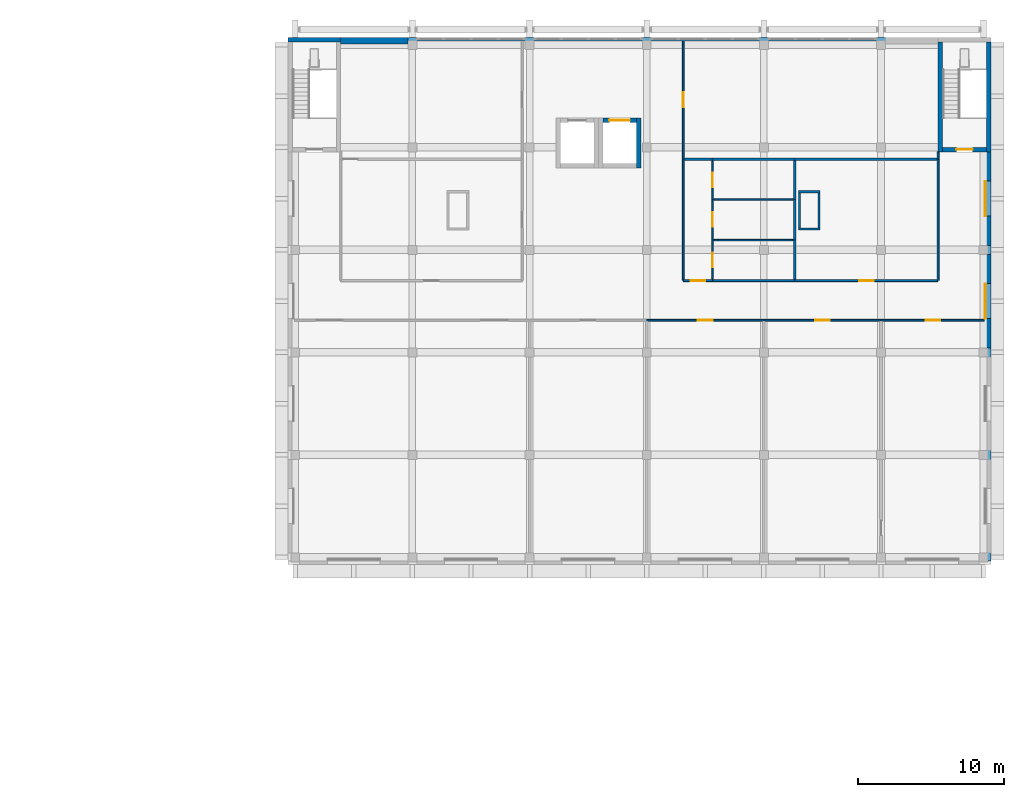
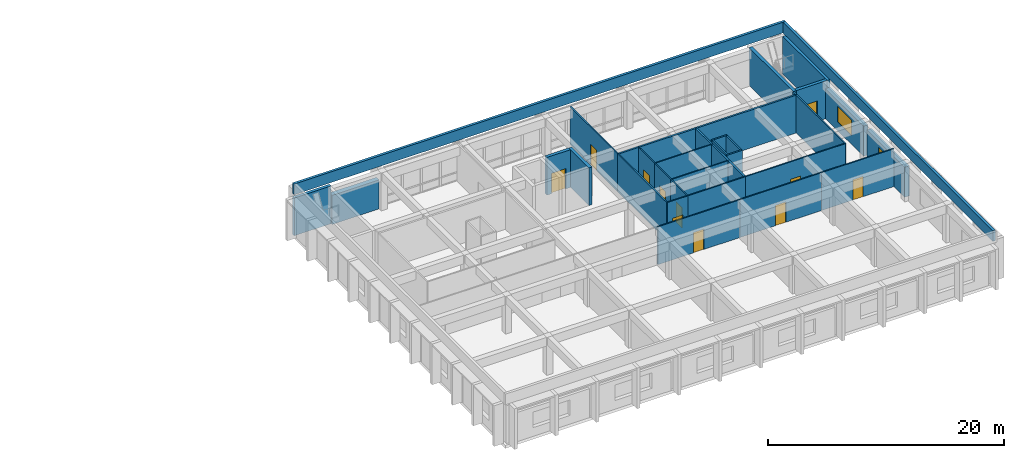
# One storey, part 18 of 21: 36 walls, 11 doors, 2 windows, 13 openings.
"""IFC4 building model written with IfcOpenShell, lengths in metres."""

import ifcopenshell
import ifcopenshell.guid

model = None  # the IFC model being written
_history = None  # IfcOwnerHistory: only IFC2X3 demands one
_inside = {}  # id of a spatial element -> (the spatial element, [elements in it])
_under = {}  # id of a project, library or spatial element -> (it, [spatial elements below it])
_declared = {}  # id of a project -> (the project, [libraries it declares])
_typed = {}  # id of a type object -> (the type object, [elements of that type])
_made_of = {}  # id of a material, layer set ... -> (it, [elements and type objects made of it])


def new_model(schema):
    """Start an empty IFC model of exactly this schema.

    Asked for "IFC4X3", IfcOpenShell would pick the latest addendum, in which some entities
    have other attributes; the version numbers below select the first issue.
    IFC2X3 requires an IfcOwnerHistory on every rooted entity: one is made here for all.
    """
    global model, _history
    if schema == "IFC4X3":
        model = ifcopenshell.file(schema_version=(4, 3, 0, 0))
    else:
        model = ifcopenshell.file(schema=schema)
    _inside.clear()
    _under.clear()
    _declared.clear()
    _typed.clear()
    _made_of.clear()
    _history = None
    if model.schema == "IFC2X3":
        org = make("IfcOrganization", Name="unknown")
        user = make(
            "IfcPersonAndOrganization",
            ThePerson=make("IfcPerson", FamilyName="unknown"),
            TheOrganization=org,
        )
        app = make(
            "IfcApplication",
            ApplicationDeveloper=org,
            Version="unknown",
            ApplicationFullName="unknown",
            ApplicationIdentifier="unknown",
        )
        _history = make(
            "IfcOwnerHistory",
            OwningUser=user,
            OwningApplication=app,
            ChangeAction="ADDED",
            CreationDate=0,
        )
    return model


def make(cls, **values):
    """One entity of the class cls with the attributes given. An attribute that is None is left unset."""
    return model.create_entity(
        cls, **{name: value for name, value in values.items() if value is not None}
    )


def rooted(cls, **values):
    """An entity with a GlobalId (a new one), such as an element, a storey or a relation."""
    return make(cls, GlobalId=ifcopenshell.guid.new(), OwnerHistory=_history, **values)


def si_unit(unit_type, name, prefix=None):
    """IfcSIUnit, for example si_unit("LENGTHUNIT", "METRE", prefix="MILLI")."""
    return make("IfcSIUnit", UnitType=unit_type, Prefix=prefix, Name=name)


def assignment(units):
    """IfcUnitAssignment: the units of a project."""
    return None if units is None else make("IfcUnitAssignment", Units=units)


def point(xyz):
    """IfcCartesianPoint."""
    return None if xyz is None else make("IfcCartesianPoint", Coordinates=xyz)


def direction(xyz):
    """IfcDirection."""
    return None if xyz is None else make("IfcDirection", DirectionRatios=xyz)


def frame(location, z_axis=None, x_axis=None):
    """IfcAxis2Placement3D, a coordinate frame: its origin and axes. An axis left out is left unset."""
    return make(
        "IfcAxis2Placement3D",
        Location=point(location),
        Axis=direction(z_axis),
        RefDirection=direction(x_axis),
    )


def frame_2d(location, x_axis=None):
    """IfcAxis2Placement2D, a coordinate frame in the plane: its origin and x axis."""
    return make(
        "IfcAxis2Placement2D", Location=point(location), RefDirection=direction(x_axis)
    )


def origin():
    """The frame at (0, 0, 0) with its axes left unset."""
    return frame((0.0, 0.0, 0.0))


def place(relative_to, where):
    """IfcLocalPlacement: puts the frame where relative to a parent placement (None: the world)."""
    return make(
        "IfcLocalPlacement", PlacementRelTo=relative_to, RelativePlacement=where
    )


def context(
    kind, dimensions, precision=None, world=None, true_north=None, identifier=None
):
    """IfcGeometricRepresentationContext, for example the 3D "Model" context."""
    return make(
        "IfcGeometricRepresentationContext",
        ContextIdentifier=identifier,
        ContextType=kind,
        CoordinateSpaceDimension=dimensions,
        Precision=precision,
        WorldCoordinateSystem=world,
        TrueNorth=true_north,
    )


def subcontext(parent, identifier, kind, view, scale=None):
    """IfcGeometricRepresentationSubContext, for example "Body" below "Model"."""
    return make(
        "IfcGeometricRepresentationSubContext",
        ContextIdentifier=identifier,
        ContextType=kind,
        ParentContext=parent,
        TargetScale=scale,
        TargetView=view,
    )


def project(units=None, contexts=None):
    """IfcProject with its units and contexts."""
    return rooted(
        "IfcProject",
        Name="project",
        RepresentationContexts=contexts,
        UnitsInContext=assignment(units),
    )


def spatial(cls, under=None, at=None, **own):
    """A site, building, storey or space (cls), placed at a placement, below another one or the project."""
    s = rooted(cls, ObjectPlacement=at, **own)
    if under is not None:
        _under.setdefault(under.id(), (under, []))[1].append(s)
    return s


def profile(cls, at=None, kind="AREA", **sizes):
    """A parametric profile (cls). Its sizes go by their IFC names, for example OverallWidth=200.0."""
    return make(cls, ProfileType=kind, Position=at, **sizes)


def rectangle(**sizes):
    """IfcRectangleProfileDef."""
    return profile("IfcRectangleProfileDef", **sizes)


def extrude(swept, where, along, depth):
    """IfcExtrudedAreaSolid: the profile swept, set in the frame where, extruded along a direction by depth."""
    return make(
        "IfcExtrudedAreaSolid",
        SweptArea=swept,
        Position=where,
        ExtrudedDirection=direction(along),
        Depth=depth,
    )


def shape(context_of_items, identifier, shape_type, items):
    """IfcShapeRepresentation: the items that make up one representation, for example the "Body"."""
    return make(
        "IfcShapeRepresentation",
        ContextOfItems=context_of_items,
        RepresentationIdentifier=identifier,
        RepresentationType=shape_type,
        Items=items,
    )


def material(Name=None, Category=None):
    """IfcMaterial."""
    return make("IfcMaterial", Name=Name, Category=Category)


def layer(
    of_material, thickness, ventilated=None, Name=None, Category=None, Priority=None
):
    """IfcMaterialLayer: one layer of a wall or slab, of a material (None: an air gap)."""
    return make(
        "IfcMaterialLayer",
        Material=of_material,
        LayerThickness=thickness,
        IsVentilated=ventilated,
        Name=Name,
        Category=Category,
        Priority=Priority,
    )


def layer_set(layers, Name=None):
    """IfcMaterialLayerSet."""
    return make("IfcMaterialLayerSet", MaterialLayers=layers, LayerSetName=Name)


def made_of(thing, what):
    """Note that an element or type object is made of a material, layer set ...; save() writes the relation."""
    if what is not None:
        _made_of.setdefault(what.id(), (what, []))[1].append(thing)
    return thing


def type_object(cls, material=None, **own):
    """A type object (cls), such as IfcWallType, which elements share."""
    return made_of(rooted(cls, **own), material)


def element(
    cls,
    number,
    at=None,
    inside=None,
    cuts=None,
    type_object=None,
    material=None,
    context=None,
    identifier="Body",
    shape_type=None,
    held_by="IfcProductDefinitionShape",
    body=None,
    shapes=None,
    **own,
):
    """One element of the class cls, such as IfcWall. Its Tag is "e" and its number.

    at: its placement. inside: the storey or other place that contains it. cuts: it is an
    opening in that element (IfcRelVoidsElement). A single representation is given by context,
    identifier, shape_type and body (its items); several are given by shapes. held_by: the class
    of the entity that holds the representations. save() writes the other relations.
    """
    e = rooted(cls, Tag="e%d" % number, ObjectPlacement=at, **own)
    if body is not None:
        shapes = [shape(context, identifier, shape_type, body)]
    if shapes is not None:
        e.Representation = make(held_by, Representations=shapes)
    if inside is not None:
        _inside.setdefault(inside.id(), (inside, []))[1].append(e)
    if cuts is not None:
        rooted(
            "IfcRelVoidsElement", RelatingBuildingElement=cuts, RelatedOpeningElement=e
        )
    if type_object is not None:
        _typed.setdefault(type_object.id(), (type_object, []))[1].append(e)
    return made_of(e, material)


def fill(opening, filler):
    """IfcRelFillsElement: the door or window that sits in an opening."""
    return rooted(
        "IfcRelFillsElement",
        RelatingOpeningElement=opening,
        RelatedBuildingElement=filler,
    )


def aggregate(whole, parts):
    """IfcRelAggregates: a whole, such as a stair, and the parts it consists of."""
    return rooted("IfcRelAggregates", RelatingObject=whole, RelatedObjects=parts)


def save(model, path):
    """Write the relations noted so far, then the file.

    IfcRelAggregates (storeys below a building ...), IfcRelContainedInSpatialStructure (elements
    in a storey), IfcRelDefinesByType, IfcRelAssociatesMaterial and IfcRelDeclares: one each for
    every whole, place, type object, material and project.
    """
    for whole, parts in _under.values():
        aggregate(whole, parts)
    for where, things in _inside.values():
        rooted(
            "IfcRelContainedInSpatialStructure",
            RelatedElements=things,
            RelatingStructure=where,
        )
    for kind, things in _typed.values():
        rooted("IfcRelDefinesByType", RelatedObjects=things, RelatingType=kind)
    for what, things in _made_of.values():
        rooted("IfcRelAssociatesMaterial", RelatedObjects=things, RelatingMaterial=what)
    for by, libraries in _declared.values():
        rooted("IfcRelDeclares", RelatingContext=by, RelatedDefinitions=libraries)
    model.write(path)


model = new_model("IFC4")

# Units and contexts
model_context = context("Model", 3, precision=1e-05, world=origin(), true_north=direction((0.0, 1.0)))
body_context = subcontext(model_context, "Body", "Model", "MODEL_VIEW")
ifc_project = project(units=[si_unit("LENGTHUNIT", "METRE"), si_unit("AREAUNIT", "SQUARE_METRE"), si_unit("VOLUMEUNIT", "CUBIC_METRE"), si_unit("PLANEANGLEUNIT", "RADIAN"), si_unit("MASSUNIT", "GRAM", prefix="KILO")], contexts=[model_context])

# Site, building, storey
site_placement = place(None, origin())
site = spatial("IfcSite", under=ifc_project, at=site_placement, CompositionType="ELEMENT")
building_placement = place(site_placement, origin())
building = spatial("IfcBuilding", under=site, at=building_placement, Name="Elmora Arch Market Hall", CompositionType="ELEMENT")
storey_placement = place(building_placement, frame((0.0, 0.0, 14.39990234375)))
storey = spatial("IfcBuildingStorey", under=building, at=storey_placement, Name="L03", CompositionType="ELEMENT", Elevation=14.39990234375)

# Walls
ifc_material_1 = material(Name="Blockwork", Category="masonry")
ifc_layer_1 = layer(ifc_material_1, 0.14990234375)
ifc_layer_set_1 = layer_set([ifc_layer_1], Name="Blockwork")
wall_type_1 = type_object("IfcWallType", Name="Blockwork partition 150 EI 120", PredefinedType="PARTITIONING", material=ifc_layer_set_1)
wall_1_placement = place(storey_placement, frame((120.85009765625, 152.925048828125, 0.0), z_axis=(0.0, 0.0, 1.0), x_axis=(1.0, 0.0, 0.0)))
element("IfcWall", 1, at=wall_1_placement, inside=storey, type_object=wall_type_1, Name="Riser wall L03 05", PredefinedType="PARTITIONING", context=body_context, shape_type="SweptSolid", body=[
    extrude(rectangle(XDim=1.5, YDim=0.14990234375, at=frame_2d((0.75, 0.0))), origin(), (0.0, 0.0, 1.0), 3.900146484375),
])
wall_2_placement = place(storey_placement, frame((120.925048828125, 153.0, 0.0), z_axis=(0.0, 0.0, 1.0), x_axis=(0.0, 1.0, 0.0)))
element("IfcWall", 2, at=wall_2_placement, inside=storey, type_object=wall_type_1, Name="Riser wall L03 06", PredefinedType="PARTITIONING", context=body_context, shape_type="SweptSolid", body=[
    extrude(rectangle(XDim=2.39990234375, YDim=0.14990234375, at=frame_2d((1.199951171875, 0.0))), origin(), (0.0, 0.0, 1.0), 3.900146484375),
])
wall_3_placement = place(storey_placement, frame((120.85009765625, 155.47509765625, 0.0), z_axis=(0.0, 0.0, 1.0), x_axis=(1.0, 0.0, 0.0)))
element("IfcWall", 3, at=wall_3_placement, inside=storey, type_object=wall_type_1, Name="Riser wall L03 07", PredefinedType="PARTITIONING", context=body_context, shape_type="SweptSolid", body=[
    extrude(rectangle(XDim=1.5, YDim=0.14990234375, at=frame_2d((0.75, 0.0))), origin(), (0.0, 0.0, 1.0), 3.900146484375),
])
wall_4_placement = place(storey_placement, frame((122.27490234375, 153.0, 0.0), z_axis=(0.0, 0.0, 1.0), x_axis=(0.0, 1.0, 0.0)))
element("IfcWall", 4, at=wall_4_placement, inside=storey, type_object=wall_type_1, Name="Riser wall L03 08", PredefinedType="PARTITIONING", context=body_context, shape_type="SweptSolid", body=[
    extrude(rectangle(XDim=2.39990234375, YDim=0.14990234375, at=frame_2d((1.199951171875, 0.0))), origin(), (0.0, 0.0, 1.0), 3.900146484375),
])
ifc_material_2 = material(Name="Concrete C40/50", Category="concrete")
ifc_layer_2 = layer(ifc_material_2, 0.300048828125)
ifc_layer_set_2 = layer_set([ifc_layer_2], Name="Concrete C40/50")
wall_type_2 = type_object("IfcWallType", Name="Board-marked concrete wall 300", PredefinedType="SOLIDWALL", material=ifc_layer_set_2)
wall_5_placement = place(storey_placement, frame((86.0, 165.85009765625, 0.0), z_axis=(0.0, 0.0, 1.0), x_axis=(1.0, 0.0, 0.0)))
element("IfcWall", 5, at=wall_5_placement, inside=storey, type_object=wall_type_2, Name="School stair wall N L03 1", PredefinedType="SOLIDWALL", context=body_context, shape_type="SweptSolid", body=[
    extrude(rectangle(XDim=3.60009765625, YDim=0.300048828125, at=frame_2d((1.800048828125, 0.0))), origin(), (0.0, 0.0, 1.0), 3.900146484375),
])
wall_6_placement = place(storey_placement, frame((133.85009765625, 165.699951171875, 0.0), z_axis=(0.0, 0.0, 1.0), x_axis=(0.0, -1.0, 0.0)))
element("IfcWall", 6, at=wall_6_placement, inside=storey, type_object=wall_type_2, Name="School stair wall E L03 1", PredefinedType="SOLIDWALL", context=body_context, shape_type="SweptSolid", body=[
    extrude(rectangle(XDim=7.5, YDim=0.300048828125, at=frame_2d((3.75, 0.0))), origin(), (0.0, 0.0, 1.0), 3.900146484375),
])
ifc_material_3 = material(Name="Concrete C40/50", Category="concrete")
ifc_layer_3 = layer(ifc_material_3, 0.449951171875)
ifc_layer_set_3 = layer_set([ifc_layer_3], Name="Concrete C40/50")
wall_type_3 = type_object("IfcWallType", Name="Board-marked concrete wall 450", PredefinedType="SOLIDWALL", material=ifc_layer_set_3)
wall_7_placement = place(storey_placement, frame((89.60009765625, 165.77490234375, 0.0), z_axis=(0.0, 0.0, 1.0), x_axis=(1.0, 0.0, 0.0)))
element("IfcWall", 7, at=wall_7_placement, inside=storey, type_object=wall_type_3, Name="School facade wall N L03 3", PredefinedType="SOLIDWALL", context=body_context, shape_type="SweptSolid", body=[
    extrude(rectangle(XDim=4.599853515625, YDim=0.449951171875, at=frame_2d((2.2998046875, 0.0))), origin(), (0.0, 0.0, 1.0), 3.0),
])

# Wall, opening, window
wall_8_placement = place(storey_placement, frame((133.77490234375, 151.199951171875, 0.0), z_axis=(0.0, 0.0, 1.0), x_axis=(0.0, -1.0, 0.0)))
wall_8 = element("IfcWall", 8, at=wall_8_placement, inside=storey, type_object=wall_type_3, Name="School facade wall E L03 4", PredefinedType="SOLIDWALL", context=body_context, shape_type="SweptSolid", body=[
    extrude(rectangle(XDim=6.39990234375, YDim=0.449951171875, at=frame_2d((3.199951171875, 0.0))), origin(), (0.0, 0.0, 1.0), 3.10009765625),
])
opening_1_placement = place(wall_8_placement, frame((2.0, 0.0, 0.89990234375)))
opening_1 = element("IfcOpeningElement", 9, at=opening_1_placement, cuts=wall_8, Name="Opening WB2", PredefinedType="OPENING", context=body_context, shape_type="SweptSolid", body=[
    extrude(rectangle(XDim=2.39990234375, YDim=1.60009765625, at=frame_2d((1.199951171875, 0.800048828125))), frame((0.0, 0.23486328125, 0.0), z_axis=(0.0, -1.0, 0.0), x_axis=(1.0, 0.0, 0.0)), (0.0, 0.0, 1.0), 0.469970703125),
])
ifc_material_4 = material(Name="Aluminium", Category="aluminium")
window_type = type_object("IfcWindowType", Name="School end band window 2400x1600", PartitioningType="SINGLE_PANEL", PredefinedType="WINDOW", material=ifc_material_4)
window_1_placement = place(opening_1_placement, origin())
window_1 = element("IfcWindow", 10, at=window_1_placement, inside=storey, type_object=window_type, Name="Window WB2 L03 E127", OverallHeight=1.60009765625, OverallWidth=2.39990234375, PartitioningType="SINGLE_PANEL", PredefinedType="WINDOW", context=body_context, shape_type="SweptSolid", body=[
    extrude(rectangle(XDim=2.39990234375, YDim=1.60009765625, at=frame_2d((1.199951171875, 0.800048828125))), frame((0.0, -0.125, 0.0), z_axis=(0.0, -1.0, 0.0), x_axis=(1.0, 0.0, 0.0)), (0.0, 0.0, 1.0), 0.06005859375),
])
fill(opening_1, window_1)

wall_9_placement = place(storey_placement, frame((133.77490234375, 158.199951171875, 0.0), z_axis=(0.0, 0.0, 1.0), x_axis=(0.0, -1.0, 0.0)))
wall_9 = element("IfcWall", 11, at=wall_9_placement, inside=storey, type_object=wall_type_3, Name="School facade wall E L03 5", PredefinedType="SOLIDWALL", context=body_context, shape_type="SweptSolid", body=[
    extrude(rectangle(XDim=6.39990234375, YDim=0.449951171875, at=frame_2d((3.199951171875, 0.0))), origin(), (0.0, 0.0, 1.0), 3.10009765625),
])
opening_2_placement = place(wall_9_placement, frame((2.0, 0.0, 0.89990234375)))
opening_2 = element("IfcOpeningElement", 12, at=opening_2_placement, cuts=wall_9, Name="Opening WB2", PredefinedType="OPENING", context=body_context, shape_type="SweptSolid", body=[
    extrude(rectangle(XDim=2.39990234375, YDim=1.60009765625, at=frame_2d((1.199951171875, 0.800048828125))), frame((0.0, 0.23486328125, 0.0), z_axis=(0.0, -1.0, 0.0), x_axis=(1.0, 0.0, 0.0)), (0.0, 0.0, 1.0), 0.469970703125),
])
window_2_placement = place(opening_2_placement, origin())
window_2 = element("IfcWindow", 13, at=window_2_placement, inside=storey, type_object=window_type, Name="Window WB2 L03 E128", OverallHeight=1.60009765625, OverallWidth=2.39990234375, PartitioningType="SINGLE_PANEL", PredefinedType="WINDOW", context=body_context, shape_type="SweptSolid", body=[
    extrude(rectangle(XDim=2.39990234375, YDim=1.60009765625, at=frame_2d((1.199951171875, 0.800048828125))), frame((0.0, -0.125, 0.0), z_axis=(0.0, -1.0, 0.0), x_axis=(1.0, 0.0, 0.0)), (0.0, 0.0, 1.0), 0.06005859375),
])
fill(opening_2, window_2)

# Walls
ifc_material_5 = material(Name="Concrete C40/50", Category="concrete")
ifc_layer_4 = layer(ifc_material_5, 0.25)
ifc_layer_set_4 = layer_set([ifc_layer_4], Name="Concrete C40/50")
wall_type_4 = type_object("IfcWallType", Name="Concrete parapet 250", PredefinedType="PARAPET", material=ifc_layer_set_4)
wall_10_placement = place(storey_placement, frame((86.0, 165.875, 4.2001953125), z_axis=(0.0, 0.0, 1.0), x_axis=(1.0, 0.0, 0.0)))
element("IfcWall", 14, at=wall_10_placement, inside=storey, type_object=wall_type_4, Name="Planted roof parapet north school", PredefinedType="PARAPET", context=body_context, shape_type="SweptSolid", body=[
    extrude(rectangle(XDim=48.0, YDim=0.25, at=frame_2d((24.0, 0.0))), origin(), (0.0, 0.0, 1.0), 1.099853515625),
])
wall_11_placement = place(storey_placement, frame((133.875, 165.75, 4.2001953125), z_axis=(0.0, 0.0, 1.0), x_axis=(0.0, -1.0, 0.0)))
element("IfcWall", 15, at=wall_11_placement, inside=storey, type_object=wall_type_4, Name="Planted roof parapet east school", PredefinedType="PARAPET", context=body_context, shape_type="SweptSolid", body=[
    extrude(rectangle(XDim=35.5, YDim=0.25, at=frame_2d((17.75, 0.0))), origin(), (0.0, 0.0, 1.0), 1.099853515625),
])
ifc_material_6 = material(Name="Concrete C40/50", Category="concrete")
ifc_layer_5 = layer(ifc_material_6, 0.300048828125)
ifc_layer_set_5 = layer_set([ifc_layer_5], Name="Concrete C40/50")
wall_type_5 = type_object("IfcWallType", Name="Lift shaft wall 300", PredefinedType="SHEAR", material=ifc_layer_set_5)
wall_12_placement = place(storey_placement, frame((109.949951171875, 157.10009765625, 0.0), z_axis=(0.0, 0.0, 1.0), x_axis=(0.0, 1.0, 0.0)))
element("IfcWall", 16, at=wall_12_placement, inside=storey, type_object=wall_type_5, Name="Lift shaft wall SL2 E L03", PredefinedType="SHEAR", context=body_context, shape_type="SweptSolid", body=[
    extrude(rectangle(XDim=3.39990234375, YDim=0.300048828125, at=frame_2d((1.699951171875, 0.0))), origin(), (0.0, 0.0, 1.0), 3.900146484375),
])

# Wall, opening, door
wall_13_placement = place(storey_placement, frame((107.5, 160.35009765625, 0.0), z_axis=(0.0, 0.0, 1.0), x_axis=(1.0, 0.0, 0.0)))
wall_13 = element("IfcWall", 17, at=wall_13_placement, inside=storey, type_object=wall_type_5, Name="Lift shaft wall SL2 N L03", PredefinedType="SHEAR", context=body_context, shape_type="SweptSolid", body=[
    extrude(rectangle(XDim=2.300048828125, YDim=0.300048828125, at=frame_2d((1.14990234375, 0.0))), origin(), (0.0, 0.0, 1.0), 3.900146484375),
])
opening_3_placement = place(wall_13_placement, frame((0.449951171875, 0.0, 0.0)))
opening_3 = element("IfcOpeningElement", 18, at=opening_3_placement, cuts=wall_13, Name="Opening LD-SL2-L03", PredefinedType="OPENING", context=body_context, shape_type="SweptSolid", body=[
    extrude(rectangle(XDim=1.39990234375, YDim=2.10009765625, at=frame_2d((0.699951171875, 1.050048828125))), frame((0.0, 0.159912109375, 0.0), z_axis=(0.0, -1.0, 0.0), x_axis=(1.0, 0.0, 0.0)), (0.0, 0.0, 1.0), 0.320068359375),
])
ifc_material_7 = material(Name="Stainless steel ASTM A240 Type 304", Category="steel")
door_type_1 = type_object("IfcDoorType", Name="Lift landing door 1400 x 2100 FD90", OperationType="DOUBLE_DOOR_SLIDING", PredefinedType="DOOR", material=ifc_material_7)
door_1_placement = place(opening_3_placement, origin())
door_1 = element("IfcDoor", 19, at=door_1_placement, inside=storey, type_object=door_type_1, Name="Landing door SL2 L03", OperationType="DOUBLE_DOOR_SLIDING", OverallHeight=2.10009765625, OverallWidth=1.39990234375, PredefinedType="DOOR", context=body_context, shape_type="SweptSolid", body=[
    extrude(rectangle(XDim=1.39990234375, YDim=2.10009765625, at=frame_2d((0.699951171875, 1.050048828125))), frame((0.0, 0.02490234375, 0.0), z_axis=(0.0, -1.0, 0.0), x_axis=(1.0, 0.0, 0.0)), (0.0, 0.0, 1.0), 0.050048828125),
])
fill(opening_3, door_1)

# Walls
ifc_material_8 = material(Name="Gypsum board on metal studs")
ifc_layer_6 = layer(ifc_material_8, 0.10009765625)
ifc_layer_set_6 = layer_set([ifc_layer_6], Name="Gypsum board on metal studs")
wall_type_6 = type_object("IfcWallType", Name="Partition 100", PredefinedType="PARTITIONING", material=ifc_layer_set_6)
for number, where, z_axis, x_axis, name in (
    (20, (115.050048828125, 152.166748046875, 0.0), (0.0, 0.0, 1.0), (1.0, 0.0, 0.0), "Partition PT-L03-010"),
    (21, (115.050048828125, 154.933349609375, 0.0), (0.0, 0.0, 1.0), (1.0, 0.0, 0.0), "Partition PT-L03-011"),
):
    element("IfcWall", number, at=place(storey_placement, frame(where, z_axis=z_axis, x_axis=x_axis)), inside=storey, type_object=wall_type_6, Name=name, PredefinedType="PARTITIONING", context=body_context, shape_type="SweptSolid", body=[
        extrude(rectangle(XDim=5.46240234375, YDim=0.10009765625, at=frame_2d((2.731201171875, 0.0))), origin(), (0.0, 0.0, 1.0), 3.900146484375),
    ])

# Wall, opening, door
wall_14_placement = place(storey_placement, frame((115.0, 149.46240234375, 0.0), z_axis=(0.0, 0.0, 1.0), x_axis=(0.0, 1.0, 0.0)))
wall_14 = element("IfcWall", 22, at=wall_14_placement, inside=storey, type_object=wall_type_6, Name="Partition PT-L03-024", PredefinedType="PARTITIONING", context=body_context, shape_type="SweptSolid", body=[
    extrude(rectangle(XDim=2.704345703125, YDim=0.10009765625, at=frame_2d((1.35205078125, 0.0))), origin(), (0.0, 0.0, 1.0), 3.900146484375),
])
opening_4_placement = place(wall_14_placement, frame((0.85009765625, 0.0, 0.0)))
opening_4 = element("IfcOpeningElement", 23, at=opening_4_placement, cuts=wall_14, Name="Opening D-L03-011", PredefinedType="OPENING", context=body_context, shape_type="SweptSolid", body=[
    extrude(rectangle(XDim=1.0, YDim=2.10009765625, at=frame_2d((0.5, 1.050048828125))), frame((0.0, 0.06005859375, 0.0), z_axis=(0.0, -1.0, 0.0), x_axis=(1.0, 0.0, 0.0)), (0.0, 0.0, 1.0), 0.1201171875),
])
ifc_material_9 = material(Name="Timber door set", Category="wood")
door_type_2 = type_object("IfcDoorType", Name="Door 1000 x 2100", OperationType="SINGLE_SWING_LEFT", PredefinedType="DOOR", material=ifc_material_9)
door_2_placement = place(opening_4_placement, frame((1.0, 0.0, 0.0), z_axis=(0.0, 0.0, 1.0), x_axis=(-1.0, 0.0, 0.0)))
door_2 = element("IfcDoor", 24, at=door_2_placement, inside=storey, type_object=door_type_2, Name="D-L03-011", OperationType="SINGLE_SWING_LEFT", OverallHeight=2.10009765625, OverallWidth=1.0, PredefinedType="DOOR", context=body_context, shape_type="SweptSolid", body=[
    extrude(rectangle(XDim=1.0, YDim=2.10009765625, at=frame_2d((0.5, 1.050048828125))), frame((0.0, 0.02490234375, 0.0), z_axis=(0.0, -1.0, 0.0), x_axis=(1.0, 0.0, 0.0)), (0.0, 0.0, 1.0), 0.050048828125),
])
fill(opening_4, door_2)

wall_15_placement = place(storey_placement, frame((115.0, 152.166748046875, 0.0), z_axis=(0.0, 0.0, 1.0), x_axis=(0.0, 1.0, 0.0)))
wall_15 = element("IfcWall", 25, at=wall_15_placement, inside=storey, type_object=wall_type_6, Name="Partition PT-L03-025", PredefinedType="PARTITIONING", context=body_context, shape_type="SweptSolid", body=[
    extrude(rectangle(XDim=2.7666015625, YDim=0.10009765625, at=frame_2d((1.38330078125, 0.0))), origin(), (0.0, 0.0, 1.0), 3.900146484375),
])
opening_5_placement = place(wall_15_placement, frame((0.89990234375, 0.0, 0.0)))
opening_5 = element("IfcOpeningElement", 26, at=opening_5_placement, cuts=wall_15, Name="Opening D-L03-013", PredefinedType="OPENING", context=body_context, shape_type="SweptSolid", body=[
    extrude(rectangle(XDim=1.0, YDim=2.10009765625, at=frame_2d((0.5, 1.050048828125))), frame((0.0, 0.06005859375, 0.0), z_axis=(0.0, -1.0, 0.0), x_axis=(1.0, 0.0, 0.0)), (0.0, 0.0, 1.0), 0.1201171875),
])
door_3_placement = place(opening_5_placement, frame((1.0, 0.0, 0.0), z_axis=(0.0, 0.0, 1.0), x_axis=(-1.0, 0.0, 0.0)))
door_3 = element("IfcDoor", 27, at=door_3_placement, inside=storey, type_object=door_type_2, Name="D-L03-013", OperationType="SINGLE_SWING_LEFT", OverallHeight=2.10009765625, OverallWidth=1.0, PredefinedType="DOOR", context=body_context, shape_type="SweptSolid", body=[
    extrude(rectangle(XDim=1.0, YDim=2.10009765625, at=frame_2d((0.5, 1.050048828125))), frame((0.0, 0.02490234375, 0.0), z_axis=(0.0, -1.0, 0.0), x_axis=(1.0, 0.0, 0.0)), (0.0, 0.0, 1.0), 0.050048828125),
])
fill(opening_5, door_3)

wall_16_placement = place(storey_placement, frame((115.0, 154.933349609375, 0.0), z_axis=(0.0, 0.0, 1.0), x_axis=(0.0, 1.0, 0.0)))
wall_16 = element("IfcWall", 28, at=wall_16_placement, inside=storey, type_object=wall_type_6, Name="Partition PT-L03-026", PredefinedType="PARTITIONING", context=body_context, shape_type="SweptSolid", body=[
    extrude(rectangle(XDim=2.67919921875, YDim=0.10009765625, at=frame_2d((1.339599609375, 0.0))), origin(), (0.0, 0.0, 1.0), 3.900146484375),
])
opening_6_placement = place(wall_16_placement, frame((0.85009765625, 0.0, 0.0)))
opening_6 = element("IfcOpeningElement", 29, at=opening_6_placement, cuts=wall_16, Name="Opening D-L03-014", PredefinedType="OPENING", context=body_context, shape_type="SweptSolid", body=[
    extrude(rectangle(XDim=1.0, YDim=2.10009765625, at=frame_2d((0.5, 1.050048828125))), frame((0.0, 0.06005859375, 0.0), z_axis=(0.0, -1.0, 0.0), x_axis=(1.0, 0.0, 0.0)), (0.0, 0.0, 1.0), 0.1201171875),
])
door_4_placement = place(opening_6_placement, frame((1.0, 0.0, 0.0), z_axis=(0.0, 0.0, 1.0), x_axis=(-1.0, 0.0, 0.0)))
door_4 = element("IfcDoor", 30, at=door_4_placement, inside=storey, type_object=door_type_2, Name="D-L03-014", OperationType="SINGLE_SWING_RIGHT", OverallHeight=2.10009765625, OverallWidth=1.0, PredefinedType="DOOR", context=body_context, shape_type="SweptSolid", body=[
    extrude(rectangle(XDim=1.0, YDim=2.10009765625, at=frame_2d((0.5, 1.050048828125))), frame((0.0, 0.02490234375, 0.0), z_axis=(0.0, -1.0, 0.0), x_axis=(1.0, 0.0, 0.0)), (0.0, 0.0, 1.0), 0.050048828125),
])
fill(opening_6, door_4)

ifc_material_10 = material(Name="Gypsum board on metal studs")
ifc_layer_7 = layer(ifc_material_10, 0.125)
ifc_layer_set_7 = layer_set([ifc_layer_7], Name="Gypsum board on metal studs")
wall_type_7 = type_object("IfcWallType", Name="Partition 125 EI 60", PredefinedType="PARTITIONING", material=ifc_layer_set_7)
wall_17_placement = place(storey_placement, frame((110.5, 146.699951171875, 0.0), z_axis=(0.0, 0.0, 1.0), x_axis=(1.0, 0.0, 0.0)))
wall_17 = element("IfcWall", 31, at=wall_17_placement, inside=storey, type_object=wall_type_7, Name="Partition PT-L03-003", PredefinedType="PARTITIONING", context=body_context, shape_type="SweptSolid", body=[
    extrude(rectangle(XDim=8.0, YDim=0.125, at=frame_2d((4.0, 0.0))), origin(), (0.0, 0.0, 1.0), 3.900146484375),
])
opening_7_placement = place(wall_17_placement, frame((3.5, 0.0, 0.0)))
opening_7 = element("IfcOpeningElement", 32, at=opening_7_placement, cuts=wall_17, Name="Opening D-L03-005", PredefinedType="OPENING", context=body_context, shape_type="SweptSolid", body=[
    extrude(rectangle(XDim=1.0, YDim=2.10009765625, at=frame_2d((0.5, 1.050048828125))), frame((0.0, 0.072509765625, 0.0), z_axis=(0.0, -1.0, 0.0), x_axis=(1.0, 0.0, 0.0)), (0.0, 0.0, 1.0), 0.14501953125),
])
ifc_material_11 = material(Name="Steel ASTM A653 galvanised", Category="steel")
door_type_3 = type_object("IfcDoorType", Name="Door 1000 x 2100 FD45", OperationType="SINGLE_SWING_LEFT", PredefinedType="DOOR", material=ifc_material_11)
door_5_placement = place(opening_7_placement, frame((1.0, 0.0, 0.0), z_axis=(0.0, 0.0, 1.0), x_axis=(-1.0, 0.0, 0.0)))
door_5 = element("IfcDoor", 33, at=door_5_placement, inside=storey, type_object=door_type_3, Name="D-L03-005", OperationType="SINGLE_SWING_RIGHT", OverallHeight=2.10009765625, OverallWidth=1.0, PredefinedType="DOOR", context=body_context, shape_type="SweptSolid", body=[
    extrude(rectangle(XDim=1.0, YDim=2.10009765625, at=frame_2d((0.5, 1.050048828125))), frame((0.0, 0.02490234375, 0.0), z_axis=(0.0, -1.0, 0.0), x_axis=(1.0, 0.0, 0.0)), (0.0, 0.0, 1.0), 0.050048828125),
])
fill(opening_7, door_5)

wall_18_placement = place(storey_placement, frame((118.5, 146.699951171875, 0.0), z_axis=(0.0, 0.0, 1.0), x_axis=(1.0, 0.0, 0.0)))
wall_18 = element("IfcWall", 34, at=wall_18_placement, inside=storey, type_object=wall_type_7, Name="Partition PT-L03-004", PredefinedType="PARTITIONING", context=body_context, shape_type="SweptSolid", body=[
    extrude(rectangle(XDim=8.0, YDim=0.125, at=frame_2d((4.0, 0.0))), origin(), (0.0, 0.0, 1.0), 3.900146484375),
])
opening_8_placement = place(wall_18_placement, frame((3.5, 0.0, 0.0)))
opening_8 = element("IfcOpeningElement", 35, at=opening_8_placement, cuts=wall_18, Name="Opening D-L03-006", PredefinedType="OPENING", context=body_context, shape_type="SweptSolid", body=[
    extrude(rectangle(XDim=1.0, YDim=2.10009765625, at=frame_2d((0.5, 1.050048828125))), frame((0.0, 0.072509765625, 0.0), z_axis=(0.0, -1.0, 0.0), x_axis=(1.0, 0.0, 0.0)), (0.0, 0.0, 1.0), 0.14501953125),
])
door_6_placement = place(opening_8_placement, frame((1.0, 0.0, 0.0), z_axis=(0.0, 0.0, 1.0), x_axis=(-1.0, 0.0, 0.0)))
door_6 = element("IfcDoor", 36, at=door_6_placement, inside=storey, type_object=door_type_3, Name="D-L03-006", OperationType="SINGLE_SWING_RIGHT", OverallHeight=2.10009765625, OverallWidth=1.0, PredefinedType="DOOR", context=body_context, shape_type="SweptSolid", body=[
    extrude(rectangle(XDim=1.0, YDim=2.10009765625, at=frame_2d((0.5, 1.050048828125))), frame((0.0, 0.02490234375, 0.0), z_axis=(0.0, -1.0, 0.0), x_axis=(1.0, 0.0, 0.0)), (0.0, 0.0, 1.0), 0.050048828125),
])
fill(opening_8, door_6)

wall_19_placement = place(storey_placement, frame((126.5, 146.699951171875, 0.0), z_axis=(0.0, 0.0, 1.0), x_axis=(1.0, 0.0, 0.0)))
wall_19 = element("IfcWall", 37, at=wall_19_placement, inside=storey, type_object=wall_type_7, Name="Partition PT-L03-005", PredefinedType="PARTITIONING", context=body_context, shape_type="SweptSolid", body=[
    extrude(rectangle(XDim=7.050048828125, YDim=0.125, at=frame_2d((3.52490234375, 0.0))), origin(), (0.0, 0.0, 1.0), 3.900146484375),
])
opening_9_placement = place(wall_19_placement, frame((3.050048828125, 0.0, 0.0)))
opening_9 = element("IfcOpeningElement", 38, at=opening_9_placement, cuts=wall_19, Name="Opening D-L03-007", PredefinedType="OPENING", context=body_context, shape_type="SweptSolid", body=[
    extrude(rectangle(XDim=1.0, YDim=2.10009765625, at=frame_2d((0.5, 1.050048828125))), frame((0.0, 0.072509765625, 0.0), z_axis=(0.0, -1.0, 0.0), x_axis=(1.0, 0.0, 0.0)), (0.0, 0.0, 1.0), 0.14501953125),
])
door_7_placement = place(opening_9_placement, frame((1.0, 0.0, 0.0), z_axis=(0.0, 0.0, 1.0), x_axis=(-1.0, 0.0, 0.0)))
door_7 = element("IfcDoor", 39, at=door_7_placement, inside=storey, type_object=door_type_3, Name="D-L03-007", OperationType="SINGLE_SWING_RIGHT", OverallHeight=2.10009765625, OverallWidth=1.0, PredefinedType="DOOR", context=body_context, shape_type="SweptSolid", body=[
    extrude(rectangle(XDim=1.0, YDim=2.10009765625, at=frame_2d((0.5, 1.050048828125))), frame((0.0, 0.02490234375, 0.0), z_axis=(0.0, -1.0, 0.0), x_axis=(1.0, 0.0, 0.0)), (0.0, 0.0, 1.0), 0.050048828125),
])
fill(opening_9, door_7)

wall_20_placement = place(storey_placement, frame((113.010009765625, 149.39990234375, 0.0), z_axis=(0.0, 0.0, 1.0), x_axis=(1.0, 0.0, 0.0)))
wall_20 = element("IfcWall", 40, at=wall_20_placement, inside=storey, type_object=wall_type_7, Name="Partition PT-L03-007", PredefinedType="PARTITIONING", context=body_context, shape_type="SweptSolid", body=[
    extrude(rectangle(XDim=1.989990234375, YDim=0.125, at=frame_2d((0.9951171875, 0.0))), origin(), (0.0, 0.0, 1.0), 3.900146484375),
])
opening_10_placement = place(wall_20_placement, frame((0.5, 0.0, 0.0)))
opening_10 = element("IfcOpeningElement", 41, at=opening_10_placement, cuts=wall_20, Name="Opening D-L03-009", PredefinedType="OPENING", context=body_context, shape_type="SweptSolid", body=[
    extrude(rectangle(XDim=1.0, YDim=2.10009765625, at=frame_2d((0.5, 1.050048828125))), frame((0.0, 0.072509765625, 0.0), z_axis=(0.0, -1.0, 0.0), x_axis=(1.0, 0.0, 0.0)), (0.0, 0.0, 1.0), 0.14501953125),
])
ifc_material_12 = material(Name="Steel ASTM A653 galvanised", Category="steel")
door_type_4 = type_object("IfcDoorType", Name="Door 1000 x 2100 FD20", OperationType="SINGLE_SWING_LEFT", PredefinedType="DOOR", material=ifc_material_12)
door_8_placement = place(opening_10_placement, origin())
door_8 = element("IfcDoor", 42, at=door_8_placement, inside=storey, type_object=door_type_4, Name="D-L03-009", OperationType="SINGLE_SWING_RIGHT", OverallHeight=2.10009765625, OverallWidth=1.0, PredefinedType="DOOR", context=body_context, shape_type="SweptSolid", body=[
    extrude(rectangle(XDim=1.0, YDim=2.10009765625, at=frame_2d((0.5, 1.050048828125))), frame((0.0, 0.02490234375, 0.0), z_axis=(0.0, -1.0, 0.0), x_axis=(1.0, 0.0, 0.0)), (0.0, 0.0, 1.0), 0.050048828125),
])
fill(opening_10, door_8)

# Wall
wall_21_placement = place(storey_placement, frame((115.0, 149.39990234375, 0.0), z_axis=(0.0, 0.0, 1.0), x_axis=(1.0, 0.0, 0.0)))
element("IfcWall", 43, at=wall_21_placement, inside=storey, type_object=wall_type_7, Name="Partition PT-L03-008", PredefinedType="PARTITIONING", context=body_context, shape_type="SweptSolid", body=[
    extrude(rectangle(XDim=5.60009765625, YDim=0.125, at=frame_2d((2.800048828125, 0.0))), origin(), (0.0, 0.0, 1.0), 3.900146484375),
])

# Wall, opening, door
wall_22_placement = place(storey_placement, frame((120.60009765625, 149.39990234375, 0.0), z_axis=(0.0, 0.0, 1.0), x_axis=(1.0, 0.0, 0.0)))
wall_22 = element("IfcWall", 44, at=wall_22_placement, inside=storey, type_object=wall_type_7, Name="Partition PT-L03-009", PredefinedType="PARTITIONING", context=body_context, shape_type="SweptSolid", body=[
    extrude(rectangle(XDim=9.789794921875, YDim=0.125, at=frame_2d((4.89501953125, 0.0))), origin(), (0.0, 0.0, 1.0), 3.900146484375),
])
opening_11_placement = place(wall_22_placement, frame((4.39990234375, 0.0, 0.0)))
opening_11 = element("IfcOpeningElement", 45, at=opening_11_placement, cuts=wall_22, Name="Opening D-L03-010", PredefinedType="OPENING", context=body_context, shape_type="SweptSolid", body=[
    extrude(rectangle(XDim=1.0, YDim=2.10009765625, at=frame_2d((0.5, 1.050048828125))), frame((0.0, 0.072509765625, 0.0), z_axis=(0.0, -1.0, 0.0), x_axis=(1.0, 0.0, 0.0)), (0.0, 0.0, 1.0), 0.14501953125),
])
door_9_placement = place(opening_11_placement, origin())
door_9 = element("IfcDoor", 46, at=door_9_placement, inside=storey, type_object=door_type_3, Name="D-L03-010", OperationType="SINGLE_SWING_LEFT", OverallHeight=2.10009765625, OverallWidth=1.0, PredefinedType="DOOR", context=body_context, shape_type="SweptSolid", body=[
    extrude(rectangle(XDim=1.0, YDim=2.10009765625, at=frame_2d((0.5, 1.050048828125))), frame((0.0, 0.02490234375, 0.0), z_axis=(0.0, -1.0, 0.0), x_axis=(1.0, 0.0, 0.0)), (0.0, 0.0, 1.0), 0.050048828125),
])
fill(opening_11, door_9)

# Wall
wall_23_placement = place(storey_placement, frame((113.0, 149.409912109375, 0.0), z_axis=(0.0, 0.0, 1.0), x_axis=(0.0, 1.0, 0.0)))
element("IfcWall", 47, at=wall_23_placement, inside=storey, type_object=wall_type_7, Name="Partition PT-L03-022", PredefinedType="PARTITIONING", context=body_context, shape_type="SweptSolid", body=[
    extrude(rectangle(XDim=8.2900390625, YDim=0.125, at=frame_2d((4.14501953125, 0.0))), origin(), (0.0, 0.0, 1.0), 3.900146484375),
])

# Wall, opening, door
wall_24_placement = place(storey_placement, frame((113.0, 157.699951171875, 0.0), z_axis=(0.0, 0.0, 1.0), x_axis=(0.0, 1.0, 0.0)))
wall_24 = element("IfcWall", 48, at=wall_24_placement, inside=storey, type_object=wall_type_7, Name="Partition PT-L03-023", PredefinedType="PARTITIONING", context=body_context, shape_type="SweptSolid", body=[
    extrude(rectangle(XDim=8.050048828125, YDim=0.125, at=frame_2d((4.02490234375, 0.0))), origin(), (0.0, 0.0, 1.0), 3.900146484375),
])
opening_12_placement = place(wall_24_placement, frame((3.550048828125, 0.0, 0.0)))
opening_12 = element("IfcOpeningElement", 49, at=opening_12_placement, cuts=wall_24, Name="Opening D-L03-017", PredefinedType="OPENING", context=body_context, shape_type="SweptSolid", body=[
    extrude(rectangle(XDim=1.0, YDim=2.10009765625, at=frame_2d((0.5, 1.050048828125))), frame((0.0, 0.072509765625, 0.0), z_axis=(0.0, -1.0, 0.0), x_axis=(1.0, 0.0, 0.0)), (0.0, 0.0, 1.0), 0.14501953125),
])
door_10_placement = place(opening_12_placement, frame((1.0, 0.0, 0.0), z_axis=(0.0, 0.0, 1.0), x_axis=(-1.0, 0.0, 0.0)))
door_10 = element("IfcDoor", 50, at=door_10_placement, inside=storey, type_object=door_type_3, Name="D-L03-017", OperationType="SINGLE_SWING_RIGHT", OverallHeight=2.10009765625, OverallWidth=1.0, PredefinedType="DOOR", context=body_context, shape_type="SweptSolid", body=[
    extrude(rectangle(XDim=1.0, YDim=2.10009765625, at=frame_2d((0.5, 1.050048828125))), frame((0.0, 0.02490234375, 0.0), z_axis=(0.0, -1.0, 0.0), x_axis=(1.0, 0.0, 0.0)), (0.0, 0.0, 1.0), 0.050048828125),
])
fill(opening_12, door_10)

# Walls
wall_25_placement = place(storey_placement, frame((130.39990234375, 149.409912109375, 0.0), z_axis=(0.0, 0.0, 1.0), x_axis=(0.0, 1.0, 0.0)))
element("IfcWall", 51, at=wall_25_placement, inside=storey, type_object=wall_type_7, Name="Partition PT-L03-032", PredefinedType="PARTITIONING", context=body_context, shape_type="SweptSolid", body=[
    extrude(rectangle(XDim=8.2900390625, YDim=0.125, at=frame_2d((4.14501953125, 0.0))), origin(), (0.0, 0.0, 1.0), 3.900146484375),
])
wall_26_placement = place(storey_placement, frame((130.39990234375, 157.699951171875, 0.0), z_axis=(0.0, 0.0, 1.0), x_axis=(0.0, 1.0, 0.0)))
element("IfcWall", 52, at=wall_26_placement, inside=storey, type_object=wall_type_7, Name="Partition PT-L03-033", PredefinedType="PARTITIONING", context=body_context, shape_type="SweptSolid", body=[
    extrude(rectangle(XDim=0.5, YDim=0.125, at=frame_2d((0.25, 0.0))), origin(), (0.0, 0.0, 1.0), 3.900146484375),
])
ifc_material_13 = material(Name="Gypsum board on metal studs")
ifc_layer_8 = layer(ifc_material_13, 0.175048828125)
ifc_layer_set_8 = layer_set([ifc_layer_8], Name="Gypsum board on metal studs")
wall_type_8 = type_object("IfcWallType", Name="Partition 175 EI 60", PredefinedType="PARTITIONING", material=ifc_layer_set_8)
wall_27_placement = place(storey_placement, frame((113.0625, 157.699951171875, 0.0), z_axis=(0.0, 0.0, 1.0), x_axis=(1.0, 0.0, 0.0)))
element("IfcWall", 53, at=wall_27_placement, inside=storey, type_object=wall_type_8, Name="Partition PT-L03-013", PredefinedType="PARTITIONING", context=body_context, shape_type="SweptSolid", body=[
    extrude(rectangle(XDim=1.9375, YDim=0.175048828125, at=frame_2d((0.96875, 0.0))), origin(), (0.0, 0.0, 1.0), 3.900146484375),
])
wall_28_placement = place(storey_placement, frame((115.0, 157.699951171875, 0.0), z_axis=(0.0, 0.0, 1.0), x_axis=(1.0, 0.0, 0.0)))
element("IfcWall", 54, at=wall_28_placement, inside=storey, type_object=wall_type_8, Name="Partition PT-L03-014", PredefinedType="PARTITIONING", context=body_context, shape_type="SweptSolid", body=[
    extrude(rectangle(XDim=5.60009765625, YDim=0.175048828125, at=frame_2d((2.800048828125, 0.0))), origin(), (0.0, 0.0, 1.0), 3.900146484375),
])
wall_29_placement = place(storey_placement, frame((120.60009765625, 157.699951171875, 0.0), z_axis=(0.0, 0.0, 1.0), x_axis=(1.0, 0.0, 0.0)))
element("IfcWall", 55, at=wall_29_placement, inside=storey, type_object=wall_type_8, Name="Partition PT-L03-015", PredefinedType="PARTITIONING", context=body_context, shape_type="SweptSolid", body=[
    extrude(rectangle(XDim=9.7373046875, YDim=0.175048828125, at=frame_2d((4.86865234375, 0.0))), origin(), (0.0, 0.0, 1.0), 3.900146484375),
])
wall_30_placement = place(storey_placement, frame((120.60009765625, 149.46240234375, 0.0), z_axis=(0.0, 0.0, 1.0), x_axis=(0.0, 1.0, 0.0)))
element("IfcWall", 56, at=wall_30_placement, inside=storey, type_object=wall_type_8, Name="Partition PT-L03-028", PredefinedType="PARTITIONING", context=body_context, shape_type="SweptSolid", body=[
    extrude(rectangle(XDim=2.704345703125, YDim=0.175048828125, at=frame_2d((1.35205078125, 0.0))), origin(), (0.0, 0.0, 1.0), 3.900146484375),
])
wall_31_placement = place(storey_placement, frame((120.60009765625, 152.166748046875, 0.0), z_axis=(0.0, 0.0, 1.0), x_axis=(0.0, 1.0, 0.0)))
element("IfcWall", 57, at=wall_31_placement, inside=storey, type_object=wall_type_8, Name="Partition PT-L03-029", PredefinedType="PARTITIONING", context=body_context, shape_type="SweptSolid", body=[
    extrude(rectangle(XDim=2.7666015625, YDim=0.175048828125, at=frame_2d((1.38330078125, 0.0))), origin(), (0.0, 0.0, 1.0), 3.900146484375),
])
wall_32_placement = place(storey_placement, frame((120.60009765625, 154.933349609375, 0.0), z_axis=(0.0, 0.0, 1.0), x_axis=(0.0, 1.0, 0.0)))
element("IfcWall", 58, at=wall_32_placement, inside=storey, type_object=wall_type_8, Name="Partition PT-L03-030", PredefinedType="PARTITIONING", context=body_context, shape_type="SweptSolid", body=[
    extrude(rectangle(XDim=2.67919921875, YDim=0.175048828125, at=frame_2d((1.339599609375, 0.0))), origin(), (0.0, 0.0, 1.0), 3.900146484375),
])

# Wall, opening, door
ifc_material_14 = material(Name="Concrete C40/50", Category="concrete")
ifc_layer_9 = layer(ifc_material_14, 0.300048828125)
ifc_layer_set_9 = layer_set([ifc_layer_9], Name="Concrete C40/50")
wall_type_9 = type_object("IfcWallType", Name="Stair wall 300", PredefinedType="SHEAR", material=ifc_layer_set_9)
wall_33_placement = place(storey_placement, frame((130.699951171875, 158.35009765625, 0.0), z_axis=(0.0, 0.0, 1.0), x_axis=(1.0, 0.0, 0.0)))
wall_33 = element("IfcWall", 59, at=wall_33_placement, inside=storey, type_object=wall_type_9, Name="Stair wall ST-SCE S L03", PredefinedType="SHEAR", context=body_context, shape_type="SweptSolid", body=[
    extrude(rectangle(XDim=3.0, YDim=0.300048828125, at=frame_2d((1.5, 0.0))), origin(), (0.0, 0.0, 1.0), 3.900146484375),
])
opening_13_placement = place(wall_33_placement, frame((0.949951171875, 0.0, 0.0)))
opening_13 = element("IfcOpeningElement", 60, at=opening_13_placement, cuts=wall_33, Name="Opening ST-SCE-L03", PredefinedType="OPENING", context=body_context, shape_type="SweptSolid", body=[
    extrude(rectangle(XDim=1.10009765625, YDim=2.10009765625, at=frame_2d((0.550048828125, 1.050048828125))), frame((0.0, 0.159912109375, 0.0), z_axis=(0.0, -1.0, 0.0), x_axis=(1.0, 0.0, 0.0)), (0.0, 0.0, 1.0), 0.320068359375),
])
ifc_material_15 = material(Name="Steel ASTM A653 galvanised", Category="steel")
door_type_5 = type_object("IfcDoorType", Name="Stair door 1100 x 2100 FD90", OperationType="SINGLE_SWING_LEFT", PredefinedType="DOOR", material=ifc_material_15)
door_11_placement = place(opening_13_placement, origin())
door_11 = element("IfcDoor", 61, at=door_11_placement, inside=storey, type_object=door_type_5, Name="Stair door ST-SCE L03", OperationType="SINGLE_SWING_LEFT", OverallHeight=2.10009765625, OverallWidth=1.10009765625, PredefinedType="DOOR", context=body_context, shape_type="SweptSolid", body=[
    extrude(rectangle(XDim=1.10009765625, YDim=2.10009765625, at=frame_2d((0.550048828125, 1.050048828125))), frame((0.0, 0.02490234375, 0.0), z_axis=(0.0, -1.0, 0.0), x_axis=(1.0, 0.0, 0.0)), (0.0, 0.0, 1.0), 0.050048828125),
])
fill(opening_13, door_11)

# Wall
wall_34_placement = place(storey_placement, frame((130.550048828125, 158.199951171875, 0.0), z_axis=(0.0, 0.0, 1.0), x_axis=(0.0, 1.0, 0.0)))
element("IfcWall", 62, at=wall_34_placement, inside=storey, type_object=wall_type_9, Name="Stair wall ST-SCE W L03", PredefinedType="SHEAR", context=body_context, shape_type="SweptSolid", body=[
    extrude(rectangle(XDim=7.5, YDim=0.300048828125, at=frame_2d((3.75, 0.0))), origin(), (0.0, 0.0, 1.0), 3.900146484375),
])

save(model, "model.ifc")
